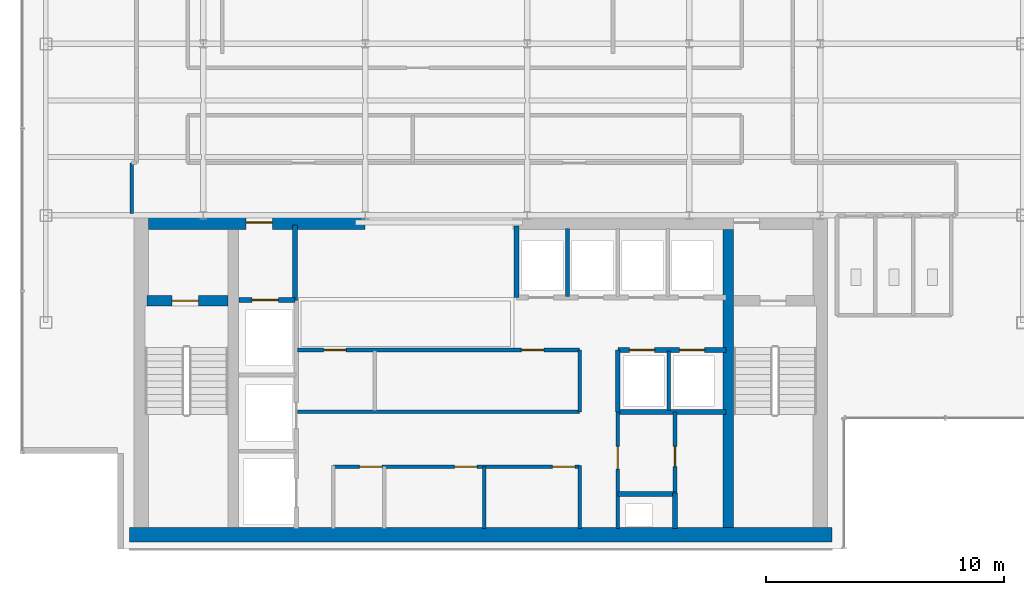
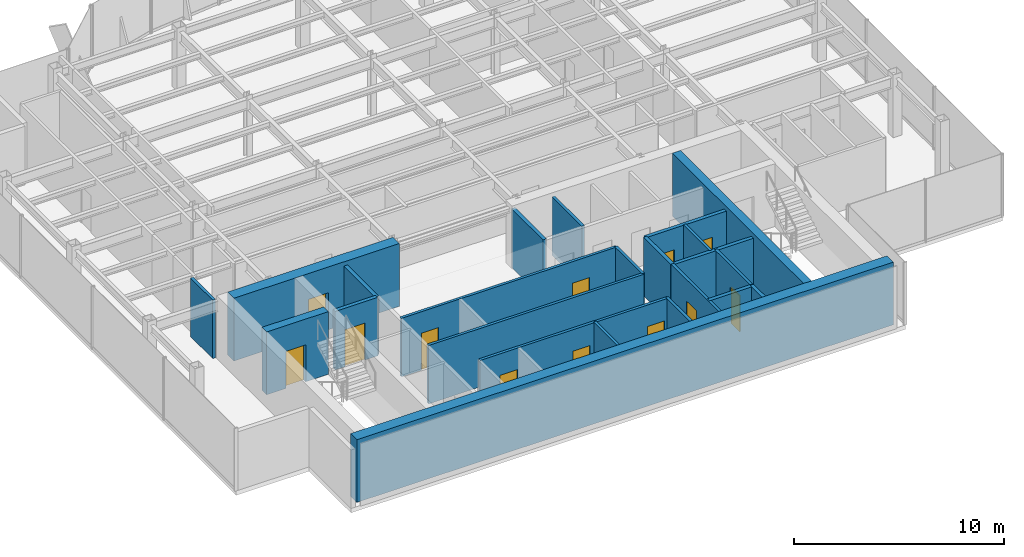
# One storey, part 17 of 22: 23 walls, 12 doors, 12 openings.
"""IFC4 building model written with IfcOpenShell, lengths in metres."""

from ifc_helpers import new_model, si_unit, derived_unit, direction, frame, frame_2d, origin, place, context, subcontext, project, spatial, rectangle, extrude, source, transform, mapped, material, layer, layer_set, type_object, element, fill, save


model = new_model("IFC4")

# Units and contexts
model_context = context("Model", 3, precision=1e-05, world=origin(), true_north=direction((0.0, 1.0)))
body_context = subcontext(model_context, "Body", "Model", "MODEL_VIEW")
ifc_project = project(units=[si_unit("LENGTHUNIT", "METRE"), si_unit("AREAUNIT", "SQUARE_METRE"), si_unit("VOLUMEUNIT", "CUBIC_METRE"), si_unit("PLANEANGLEUNIT", "RADIAN"), si_unit("MASSUNIT", "GRAM", prefix="KILO"), derived_unit("THERMALTRANSMITTANCEUNIT", [(si_unit("POWERUNIT", "WATT"), 1), (si_unit("LENGTHUNIT", "METRE"), -2), (si_unit("THERMODYNAMICTEMPERATUREUNIT", "KELVIN"), -1)])], contexts=[model_context])

# Site, building, storey
site_placement = place(None, origin())
site = spatial("IfcSite", under=ifc_project, at=site_placement, CompositionType="ELEMENT")
building_placement = place(site_placement, origin())
building = spatial("IfcBuilding", under=site, at=building_placement, Name="Skarnbrae Concourse Arena and Tower", CompositionType="ELEMENT")
storey_placement = place(building_placement, frame((0.0, 0.0, 284.35009765625)))
storey = spatial("IfcBuildingStorey", under=building, at=storey_placement, Name="L74", CompositionType="ELEMENT", Elevation=284.35009765625)

# Wall, opening, door
ifc_material_1 = material(Name="Concrete 50 MPa (C50/60)", Category="concrete")
ifc_layer_1 = layer(ifc_material_1, 0.449951171875)
ifc_layer_set_1 = layer_set([ifc_layer_1], Name="Concrete 50 MPa (C50/60)")
wall_type_1 = type_object("IfcWallType", Name="WALL-CORE-450-C50", PredefinedType="SHEAR", material=ifc_layer_set_1)
shared_shape_1 = source(origin(), body_context, "Body", "SweptSolid", [
    extrude(rectangle(XDim=3.389892578125, YDim=0.449951171875, at=frame_2d((1.69482421875, 0.0))), origin(), (0.0, 0.0, 1.0), 3.64990234375),
])
wall_1_placement = place(storey_placement, frame((5.25, 10.419921875, 0.0), z_axis=(0.0, 0.0, 1.0), x_axis=(1.0, 0.0, 0.0)))
wall_1 = element("IfcWall", 1, at=wall_1_placement, inside=storey, type_object=wall_type_1, Name="L74 Rear core shear wall CW-ST1-N", PredefinedType="SHEAR", context=body_context, shape_type="MappedRepresentation", body=[
    mapped(shared_shape_1, transform((0.0, 0.0, 0.0))),
])
opening_1_placement = place(wall_1_placement, frame((1.050048828125, 0.0, 0.0)))
opening_1 = element("IfcOpeningElement", 2, at=opening_1_placement, cuts=wall_1, Name="Opening DT-03", PredefinedType="OPENING", context=body_context, shape_type="SweptSolid", body=[
    extrude(rectangle(XDim=1.10009765625, YDim=2.14990234375, at=frame_2d((0.550048828125, 1.074951171875))), frame((0.0, 0.23486328125, 0.0), z_axis=(0.0, -1.0, 0.0), x_axis=(1.0, 0.0, 0.0)), (0.0, 0.0, 1.0), 0.469970703125),
])
ifc_material_2 = material(Name="Steel CSA G40.21 350W", Category="steel")
door_type_1 = type_object("IfcDoorType", Name="DOOR-FIRE-1100-90M", OperationType="NOTDEFINED", PredefinedType="DOOR", material=ifc_material_2)
shared_shape_2 = source(origin(), body_context, "Body", "SweptSolid", [
    extrude(rectangle(XDim=1.10009765625, YDim=2.14990234375, at=frame_2d((0.550048828125, 1.074951171875))), frame((0.0, 0.02490234375, 0.0), z_axis=(0.0, -1.0, 0.0), x_axis=(1.0, 0.0, 0.0)), (0.0, 0.0, 1.0), 0.050048828125),
])
door_1_placement = place(opening_1_placement, frame((1.10009765625, 0.0, 0.0), z_axis=(0.0, 0.0, 1.0), x_axis=(-1.0, 0.0, 0.0)))
door_1 = element("IfcDoor", 3, at=door_1_placement, inside=storey, type_object=door_type_1, Name="D-2232 Stair ST-1 Door", OperationType="SINGLE_SWING_LEFT", OverallHeight=2.14990234375, OverallWidth=1.10009765625, PredefinedType="DOOR", context=body_context, shape_type="MappedRepresentation", body=[
    mapped(shared_shape_2, transform((0.0, 0.0, 0.0))),
])
fill(opening_1, door_1)

# Wall
ifc_layer_2 = layer(ifc_material_1, 0.60009765625)
ifc_layer_set_2 = layer_set([ifc_layer_2], Name="Concrete 50 MPa (C50/60)")
wall_type_2 = type_object("IfcWallType", Name="WALL-CORE-600-C50", PredefinedType="SHEAR", material=ifc_layer_set_2)
shared_shape_3 = source(origin(), body_context, "Body", "SweptSolid", [
    extrude(rectangle(XDim=29.5, YDim=0.60009765625, at=frame_2d((14.75, 0.0))), origin(), (0.0, 0.0, 1.0), 3.64990234375),
])
wall_2_placement = place(storey_placement, frame((4.5, 0.60009765625, 0.0), z_axis=(0.0, 0.0, 1.0), x_axis=(1.0, 0.0, 0.0)))
element("IfcWall", 4, at=wall_2_placement, inside=storey, type_object=wall_type_2, Name="L74 Rear core shear wall CW-S", PredefinedType="SHEAR", context=body_context, shape_type="MappedRepresentation", body=[
    mapped(shared_shape_3, transform((0.0, 0.0, 0.0))),
])

# Wall, opening, door
shared_shape_4 = source(origin(), body_context, "Body", "SweptSolid", [
    extrude(rectangle(XDim=9.099853515625, YDim=0.60009765625, at=frame_2d((4.5498046875, 0.0))), origin(), (0.0, 0.0, 1.0), 3.64990234375),
])
wall_3_placement = place(storey_placement, frame((5.300048828125, 13.699951171875, 0.0), z_axis=(0.0, 0.0, 1.0), x_axis=(1.0, 0.0, 0.0)))
wall_3 = element("IfcWall", 5, at=wall_3_placement, inside=storey, type_object=wall_type_2, Name="L74 Rear core shear wall CW-NW", PredefinedType="SHEAR", context=body_context, shape_type="MappedRepresentation", body=[
    mapped(shared_shape_4, transform((0.0, 0.0, 0.0))),
])
opening_2_placement = place(wall_3_placement, frame((4.10009765625, 0.0, 0.0)))
opening_2 = element("IfcOpeningElement", 6, at=opening_2_placement, cuts=wall_3, Name="Opening DT-03", PredefinedType="OPENING", context=body_context, shape_type="SweptSolid", body=[
    extrude(rectangle(XDim=1.10009765625, YDim=2.14990234375, at=frame_2d((0.550048828125, 1.074951171875))), frame((0.0, 0.31005859375, 0.0), z_axis=(0.0, -1.0, 0.0), x_axis=(1.0, 0.0, 0.0)), (0.0, 0.0, 1.0), 0.6201171875),
])
door_2_placement = place(opening_2_placement, origin())
door_2 = element("IfcDoor", 7, at=door_2_placement, inside=storey, type_object=door_type_1, Name="D-2234 Firefighting Lobby Exit Door", OperationType="SINGLE_SWING_RIGHT", OverallHeight=2.14990234375, OverallWidth=1.10009765625, PredefinedType="DOOR", context=body_context, shape_type="MappedRepresentation", body=[
    mapped(shared_shape_2, transform((0.0, 0.0, 0.0))),
])
fill(opening_2, door_2)

# Walls
shared_shape_5 = source(origin(), body_context, "Body", "SweptSolid", [
    extrude(rectangle(XDim=12.5, YDim=0.449951171875, at=frame_2d((6.25, 0.0))), origin(), (0.0, 0.0, 1.0), 3.64990234375),
])
wall_4_placement = place(storey_placement, frame((29.635009765625, 0.89990234375, 0.0), z_axis=(0.0, 0.0, 1.0), x_axis=(0.0, 1.0, 0.0)))
element("IfcWall", 8, at=wall_4_placement, inside=storey, type_object=wall_type_1, Name="L74 Rear core shear wall CW-WEB-E", PredefinedType="SHEAR", context=body_context, shape_type="MappedRepresentation", body=[
    mapped(shared_shape_5, transform((0.0, 0.0, 0.0))),
])
ifc_material_3 = material(Name="Gypsum board on cold-formed steel studs", Category="steel")
ifc_layer_3 = layer(ifc_material_3, 0.199951171875)
ifc_layer_set_3 = layer_set([ifc_layer_3], Name="Gypsum board on cold-formed steel studs")
wall_type_3 = type_object("IfcWallType", Name="WALL-PART-200-2HR", PredefinedType="PARTITIONING", material=ifc_layer_set_3)
shared_shape_6 = source(origin(), body_context, "Body", "SweptSolid", [
    extrude(rectangle(XDim=3.18017578125, YDim=0.199951171875, at=frame_2d((1.590087890625, 0.0))), origin(), (0.0, 0.0, 1.0), 3.39990234375),
])
wall_5_placement = place(storey_placement, frame((11.449951171875, 10.419921875, 0.0), z_axis=(0.0, 0.0, 1.0), x_axis=(0.0, 1.0, 0.0)))
element("IfcWall", 9, at=wall_5_placement, inside=storey, type_object=wall_type_3, Name="L74 Interior partition wall W-L74-FFL-E", PredefinedType="PARTITIONING", context=body_context, shape_type="MappedRepresentation", body=[
    mapped(shared_shape_6, transform((0.0, 0.0, 0.0))),
])

# Wall, opening, door
shared_shape_7 = source(origin(), body_context, "Body", "SweptSolid", [
    extrude(rectangle(XDim=2.349853515625, YDim=0.199951171875, at=frame_2d((1.1748046875, 0.0))), origin(), (0.0, 0.0, 1.0), 3.39990234375),
])
wall_6_placement = place(storey_placement, frame((9.10009765625, 10.449951171875, 0.0), z_axis=(0.0, 0.0, 1.0), x_axis=(1.0, 0.0, 0.0)))
wall_6 = element("IfcWall", 10, at=wall_6_placement, inside=storey, type_object=wall_type_3, Name="L74 Interior partition wall W-L74-FL1-N", PredefinedType="PARTITIONING", context=body_context, shape_type="MappedRepresentation", body=[
    mapped(shared_shape_7, transform((0.0, 0.0, 0.0))),
])
opening_3_placement = place(wall_6_placement, frame((0.550048828125, 0.0, 0.0)))
opening_3 = element("IfcOpeningElement", 11, at=opening_3_placement, cuts=wall_6, Name="Opening LD-01", PredefinedType="OPENING", context=body_context, shape_type="SweptSolid", body=[
    extrude(rectangle(XDim=1.10009765625, YDim=2.14990234375, at=frame_2d((0.550048828125, 1.074951171875))), frame((0.0, 0.10986328125, 0.0), z_axis=(0.0, -1.0, 0.0), x_axis=(1.0, 0.0, 0.0)), (0.0, 0.0, 1.0), 0.219970703125),
])
door_type_2 = type_object("IfcDoorType", Name="DOOR-LIFT-SLIDE-1100", OperationType="SLIDING_TO_LEFT", PredefinedType="DOOR", material=ifc_material_2)
door_3_placement = place(opening_3_placement, origin())
door_3 = element("IfcDoor", 12, at=door_3_placement, inside=storey, type_object=door_type_2, Name="D-2236 Firefighting Lift Landing Door FL-01", OperationType="SLIDING_TO_LEFT", OverallHeight=2.14990234375, OverallWidth=1.10009765625, PredefinedType="DOOR", context=body_context, shape_type="MappedRepresentation", body=[
    mapped(shared_shape_2, transform((0.0, 0.0, 0.0))),
])
fill(opening_3, door_3)

# Walls
ifc_layer_4 = layer(ifc_material_3, 0.14990234375)
ifc_layer_set_4 = layer_set([ifc_layer_4], Name="Gypsum board on cold-formed steel studs")
wall_type_4 = type_object("IfcWallType", Name="WALL-PART-150", PredefinedType="PARTITIONING", material=ifc_layer_set_4)
shared_shape_8 = source(origin(), body_context, "Body", "SweptSolid", [
    extrude(rectangle(XDim=2.599853515625, YDim=0.14990234375, at=frame_2d((1.2998046875, 0.0))), origin(), (0.0, 0.0, 1.0), 3.39990234375),
])
wall_7_placement = place(storey_placement, frame((19.39990234375, 0.85009765625, 0.0), z_axis=(0.0, 0.0, 1.0), x_axis=(0.0, 1.0, 0.0)))
element("IfcWall", 13, at=wall_7_placement, inside=storey, type_object=wall_type_4, Name="L74 Interior partition wall W-L74-B1M-C2", PredefinedType="PARTITIONING", context=body_context, shape_type="MappedRepresentation", body=[
    mapped(shared_shape_8, transform((0.0, 0.0, 0.0))),
])
shared_shape_9 = source(origin(), body_context, "Body", "SweptSolid", [
    extrude(rectangle(XDim=2.60009765625, YDim=0.199951171875, at=frame_2d((1.300048828125, 0.0))), origin(), (0.0, 0.0, 1.0), 3.39990234375),
])
wall_8_placement = place(storey_placement, frame((25.0, 5.75, 0.0), z_axis=(0.0, 0.0, 1.0), x_axis=(0.0, 1.0, 0.0)))
element("IfcWall", 14, at=wall_8_placement, inside=storey, type_object=wall_type_3, Name="L74 Interior partition wall W-L74-B3S-W", PredefinedType="PARTITIONING", context=body_context, shape_type="MappedRepresentation", body=[
    mapped(shared_shape_9, transform((0.0, 0.0, 0.0))),
])
shared_shape_10 = source(origin(), body_context, "Body", "SweptSolid", [
    extrude(rectangle(XDim=2.5, YDim=0.14990234375, at=frame_2d((1.25, 0.0))), origin(), (0.0, 0.0, 1.0), 3.39990234375),
])
wall_9_placement = place(storey_placement, frame((27.139892578125, 5.800048828125, 0.0), z_axis=(0.0, 0.0, 1.0), x_axis=(0.0, 1.0, 0.0)))
element("IfcWall", 15, at=wall_9_placement, inside=storey, type_object=wall_type_4, Name="L74 Interior partition wall W-L74-B3S-P1", PredefinedType="PARTITIONING", context=body_context, shape_type="MappedRepresentation", body=[
    mapped(shared_shape_10, transform((0.0, 0.0, 0.0))),
])
shared_shape_11 = source(origin(), body_context, "Body", "SweptSolid", [
    extrude(rectangle(XDim=3.0, YDim=0.199951171875, at=frame_2d((1.5, 0.0))), origin(), (0.0, 0.0, 1.0), 3.39990234375),
])
wall_10_placement = place(storey_placement, frame((20.75, 10.550048828125, 0.0), z_axis=(0.0, 0.0, 1.0), x_axis=(0.0, 1.0, 0.0)))
element("IfcWall", 16, at=wall_10_placement, inside=storey, type_object=wall_type_3, Name="L74 Interior partition wall W-L74-B3N-W", PredefinedType="PARTITIONING", context=body_context, shape_type="MappedRepresentation", body=[
    mapped(shared_shape_11, transform((0.0, 0.0, 0.0))),
])
shared_shape_12 = source(origin(), body_context, "Body", "SweptSolid", [
    extrude(rectangle(XDim=2.849853515625, YDim=0.14990234375, at=frame_2d((1.4248046875, 0.0))), origin(), (0.0, 0.0, 1.0), 3.39990234375),
])
wall_11_placement = place(storey_placement, frame((22.889892578125, 10.60009765625, 0.0), z_axis=(0.0, 0.0, 1.0), x_axis=(0.0, 1.0, 0.0)))
element("IfcWall", 17, at=wall_11_placement, inside=storey, type_object=wall_type_4, Name="L74 Interior partition wall W-L74-B3N-P1", PredefinedType="PARTITIONING", context=body_context, shape_type="MappedRepresentation", body=[
    mapped(shared_shape_12, transform((0.0, 0.0, 0.0))),
])

# Wall, openings, doors
shared_shape_13 = source(origin(), body_context, "Body", "SweptSolid", [
    extrude(rectangle(XDim=4.550048828125, YDim=0.199951171875, at=frame_2d((2.27490234375, 0.0))), origin(), (0.0, 0.0, 1.0), 3.39990234375),
])
wall_12_placement = place(storey_placement, frame((25.0, 8.35009765625, 0.0), z_axis=(0.0, 0.0, 1.0), x_axis=(1.0, 0.0, 0.0)))
wall_12 = element("IfcWall", 18, at=wall_12_placement, inside=storey, type_object=wall_type_3, Name="L74 Interior partition wall W-L74-B3S-N", PredefinedType="PARTITIONING", context=body_context, shape_type="MappedRepresentation", body=[
    mapped(shared_shape_13, transform((0.0, 0.0, 0.0))),
])
opening_4_placement = place(wall_12_placement, frame((0.5, 0.0, 0.0)))
opening_4 = element("IfcOpeningElement", 19, at=opening_4_placement, cuts=wall_12, Name="Opening LD-04", PredefinedType="OPENING", context=body_context, shape_type="SweptSolid", body=[
    extrude(rectangle(XDim=1.050048828125, YDim=2.14990234375, at=frame_2d((0.52490234375, 1.074951171875))), frame((0.0, 0.10986328125, 0.0), z_axis=(0.0, -1.0, 0.0), x_axis=(1.0, 0.0, 0.0)), (0.0, 0.0, 1.0), 0.219970703125),
])
opening_5_placement = place(wall_12_placement, frame((2.60009765625, 0.0, 0.0)))
opening_5 = element("IfcOpeningElement", 20, at=opening_5_placement, cuts=wall_12, Name="Opening LD-04", PredefinedType="OPENING", context=body_context, shape_type="SweptSolid", body=[
    extrude(rectangle(XDim=1.050048828125, YDim=2.14990234375, at=frame_2d((0.52490234375, 1.074951171875))), frame((0.0, 0.10986328125, 0.0), z_axis=(0.0, -1.0, 0.0), x_axis=(1.0, 0.0, 0.0)), (0.0, 0.0, 1.0), 0.219970703125),
])
ifc_material_4 = material(Name="Bronze anodised aluminium 6063-T6", Category="aluminium")
door_type_3 = type_object("IfcDoorType", Name="DOOR-LIFT-SLIDE-1050H", OperationType="SLIDING_TO_LEFT", PredefinedType="DOOR", material=ifc_material_4)
shared_shape_14 = source(origin(), body_context, "Body", "SweptSolid", [
    extrude(rectangle(XDim=1.050048828125, YDim=2.14990234375, at=frame_2d((0.52490234375, 1.074951171875))), frame((0.0, 0.02490234375, 0.0), z_axis=(0.0, -1.0, 0.0), x_axis=(1.0, 0.0, 0.0)), (0.0, 0.0, 1.0), 0.050048828125),
])
door_4_placement = place(opening_4_placement, origin())
door_4 = element("IfcDoor", 21, at=door_4_placement, inside=storey, type_object=door_type_3, Name="D-2248 Passenger Lift Landing Door PL-3E", OperationType="SLIDING_TO_LEFT", OverallHeight=2.14990234375, OverallWidth=1.050048828125, PredefinedType="DOOR", context=body_context, shape_type="MappedRepresentation", body=[
    mapped(shared_shape_14, transform((0.0, 0.0, 0.0))),
])
fill(opening_4, door_4)
door_5_placement = place(opening_5_placement, origin())
door_5 = element("IfcDoor", 22, at=door_5_placement, inside=storey, type_object=door_type_3, Name="D-2249 Passenger Lift Landing Door PL-3F", OperationType="SLIDING_TO_LEFT", OverallHeight=2.14990234375, OverallWidth=1.050048828125, PredefinedType="DOOR", context=body_context, shape_type="MappedRepresentation", body=[
    mapped(shared_shape_14, transform((0.0, 0.0, 0.0))),
])
fill(opening_5, door_5)

# Wall
wall_13_placement = place(storey_placement, frame((25.0, 5.75, 0.0), z_axis=(0.0, 0.0, 1.0), x_axis=(1.0, 0.0, 0.0)))
element("IfcWall", 23, at=wall_13_placement, inside=storey, type_object=wall_type_3, Name="L74 Interior partition wall W-L74-B3S-S", PredefinedType="PARTITIONING", context=body_context, shape_type="MappedRepresentation", body=[
    mapped(shared_shape_13, transform((0.0, 0.0, 0.0))),
])

# Wall, opening, door
ifc_layer_5 = layer(ifc_material_3, 0.14990234375)
ifc_layer_set_5 = layer_set([ifc_layer_5], Name="Gypsum board on cold-formed steel studs")
wall_type_5 = type_object("IfcWallType", Name="WALL-PART-150-1HR", PredefinedType="PARTITIONING", material=ifc_layer_set_5)
shared_shape_15 = source(origin(), body_context, "Body", "SweptSolid", [
    extrude(rectangle(XDim=4.89990234375, YDim=0.14990234375, at=frame_2d((2.449951171875, 0.0))), origin(), (0.0, 0.0, 1.0), 3.39990234375),
])
wall_14_placement = place(storey_placement, frame((25.0, 0.85009765625, 0.0), z_axis=(0.0, 0.0, 1.0), x_axis=(0.0, 1.0, 0.0)))
wall_14 = element("IfcWall", 24, at=wall_14_placement, inside=storey, type_object=wall_type_5, Name="L74 Interior partition wall W-L74-CSV-W", PredefinedType="PARTITIONING", context=body_context, shape_type="MappedRepresentation", body=[
    mapped(shared_shape_15, transform((0.0, 0.0, 0.0))),
])
opening_6_placement = place(wall_14_placement, frame((2.5, 0.0, 0.0)))
opening_6 = element("IfcOpeningElement", 25, at=opening_6_placement, cuts=wall_14, Name="Opening DT-04", PredefinedType="OPENING", context=body_context, shape_type="SweptSolid", body=[
    extrude(rectangle(XDim=0.949951171875, YDim=2.14990234375, at=frame_2d((0.47509765625, 1.074951171875))), frame((0.0, 0.0849609375, 0.0), z_axis=(0.0, -1.0, 0.0), x_axis=(1.0, 0.0, 0.0)), (0.0, 0.0, 1.0), 0.169921875),
])
door_type_4 = type_object("IfcDoorType", Name="DOOR-INT-950-45M", OperationType="NOTDEFINED", PredefinedType="DOOR", material=ifc_material_2)
shared_shape_16 = source(origin(), body_context, "Body", "SweptSolid", [
    extrude(rectangle(XDim=0.949951171875, YDim=2.14990234375, at=frame_2d((0.47509765625, 1.074951171875))), frame((0.0, 0.02490234375, 0.0), z_axis=(0.0, -1.0, 0.0), x_axis=(1.0, 0.0, 0.0)), (0.0, 0.0, 1.0), 0.050048828125),
])
door_6_placement = place(opening_6_placement, origin())
door_6 = element("IfcDoor", 26, at=door_6_placement, inside=storey, type_object=door_type_4, Name="D-2250 Core Pantry Door", OperationType="SINGLE_SWING_RIGHT", OverallHeight=2.14990234375, OverallWidth=0.949951171875, PredefinedType="DOOR", context=body_context, shape_type="MappedRepresentation", body=[
    mapped(shared_shape_16, transform((0.0, 0.0, 0.0))),
])
fill(opening_6, door_6)

# Walls
shared_shape_17 = source(origin(), body_context, "Body", "SweptSolid", [
    extrude(rectangle(XDim=2.39990234375, YDim=0.199951171875, at=frame_2d((1.199951171875, 0.0))), origin(), (0.0, 0.0, 1.0), 3.39990234375),
])
wall_15_placement = place(storey_placement, frame((25.0, 2.300048828125, 0.0), z_axis=(0.0, 0.0, 1.0), x_axis=(1.0, 0.0, 0.0)))
element("IfcWall", 27, at=wall_15_placement, inside=storey, type_object=wall_type_3, Name="L74 Interior partition wall W-L74-MEP-N", PredefinedType="PARTITIONING", context=body_context, shape_type="MappedRepresentation", body=[
    mapped(shared_shape_17, transform((0.0, 0.0, 0.0))),
])
shared_shape_18 = source(origin(), body_context, "Body", "SweptSolid", [
    extrude(rectangle(XDim=1.5, YDim=0.199951171875, at=frame_2d((0.75, 0.0))), origin(), (0.0, 0.0, 1.0), 3.39990234375),
])
wall_16_placement = place(storey_placement, frame((27.39990234375, 0.85009765625, 0.0), z_axis=(0.0, 0.0, 1.0), x_axis=(0.0, 1.0, 0.0)))
element("IfcWall", 28, at=wall_16_placement, inside=storey, type_object=wall_type_3, Name="L74 Interior partition wall W-L74-MEP-E", PredefinedType="PARTITIONING", context=body_context, shape_type="MappedRepresentation", body=[
    mapped(shared_shape_18, transform((0.0, 0.0, 0.0))),
])

# Wall, opening, door
shared_shape_19 = source(origin(), body_context, "Body", "SweptSolid", [
    extrude(rectangle(XDim=3.39990234375, YDim=0.14990234375, at=frame_2d((1.699951171875, 0.0))), origin(), (0.0, 0.0, 1.0), 3.39990234375),
])
wall_17_placement = place(storey_placement, frame((27.39990234375, 2.35009765625, 0.0), z_axis=(0.0, 0.0, 1.0), x_axis=(0.0, 1.0, 0.0)))
wall_17 = element("IfcWall", 29, at=wall_17_placement, inside=storey, type_object=wall_type_4, Name="L74 Interior partition wall W-L74-CSV-V", PredefinedType="PARTITIONING", context=body_context, shape_type="MappedRepresentation", body=[
    mapped(shared_shape_19, transform((0.0, 0.0, 0.0))),
])
opening_7_placement = place(wall_17_placement, frame((1.10009765625, 0.0, 0.0)))
opening_7 = element("IfcOpeningElement", 30, at=opening_7_placement, cuts=wall_17, Name="Opening DT-06", PredefinedType="OPENING", context=body_context, shape_type="SweptSolid", body=[
    extrude(rectangle(XDim=0.85009765625, YDim=2.10009765625, at=frame_2d((0.425048828125, 1.050048828125))), frame((0.0, 0.0849609375, 0.0), z_axis=(0.0, -1.0, 0.0), x_axis=(1.0, 0.0, 0.0)), (0.0, 0.0, 1.0), 0.169921875),
])
ifc_material_5 = material(Name="Architectural oak veneer timber leaf", Category="wood")
door_type_5 = type_object("IfcDoorType", Name="DOOR-INT-850", OperationType="NOTDEFINED", PredefinedType="DOOR", material=ifc_material_5)
shared_shape_20 = source(origin(), body_context, "Body", "SweptSolid", [
    extrude(rectangle(XDim=0.85009765625, YDim=2.10009765625, at=frame_2d((0.425048828125, 1.050048828125))), frame((0.0, 0.02490234375, 0.0), z_axis=(0.0, -1.0, 0.0), x_axis=(1.0, 0.0, 0.0)), (0.0, 0.0, 1.0), 0.050048828125),
])
door_7_placement = place(opening_7_placement, frame((0.85009765625, 0.0, 0.0), z_axis=(0.0, 0.0, 1.0), x_axis=(-1.0, 0.0, 0.0)))
door_7 = element("IfcDoor", 31, at=door_7_placement, inside=storey, type_object=door_type_5, Name="D-2251 Supply Cupboard Door", OperationType="SINGLE_SWING_LEFT", OverallHeight=2.10009765625, OverallWidth=0.85009765625, PredefinedType="DOOR", context=body_context, shape_type="MappedRepresentation", body=[
    mapped(shared_shape_20, transform((0.0, 0.0, 0.0))),
])
fill(opening_7, door_7)

# Wall
shared_shape_21 = source(origin(), body_context, "Body", "SweptSolid", [
    extrude(rectangle(XDim=2.64990234375, YDim=0.14990234375, at=frame_2d((1.324951171875, 0.0))), origin(), (0.0, 0.0, 1.0), 3.39990234375),
])
wall_18_placement = place(storey_placement, frame((23.39990234375, 0.85009765625, 0.0), z_axis=(0.0, 0.0, 1.0), x_axis=(0.0, 1.0, 0.0)))
element("IfcWall", 32, at=wall_18_placement, inside=storey, type_object=wall_type_5, Name="L74 Interior partition wall W-L74-B1M-E", PredefinedType="PARTITIONING", context=body_context, shape_type="MappedRepresentation", body=[
    mapped(shared_shape_21, transform((0.0, 0.0, 0.0))),
])

# Wall, openings, doors
shared_shape_22 = source(origin(), body_context, "Body", "SweptSolid", [
    extrude(rectangle(XDim=10.349853515625, YDim=0.14990234375, at=frame_2d((5.1748046875, 0.0))), origin(), (0.0, 0.0, 1.0), 3.39990234375),
])
wall_19_placement = place(storey_placement, frame((13.050048828125, 3.449951171875, 0.0), z_axis=(0.0, 0.0, 1.0), x_axis=(1.0, 0.0, 0.0)))
wall_19 = element("IfcWall", 33, at=wall_19_placement, inside=storey, type_object=wall_type_5, Name="L74 Interior partition wall W-L74-B1M-N", PredefinedType="PARTITIONING", context=body_context, shape_type="MappedRepresentation", body=[
    mapped(shared_shape_22, transform((0.0, 0.0, 0.0))),
])
opening_8_placement = place(wall_19_placement, frame((1.10009765625, 0.0, 0.0)))
opening_8 = element("IfcOpeningElement", 34, at=opening_8_placement, cuts=wall_19, Name="Opening DT-04", PredefinedType="OPENING", context=body_context, shape_type="SweptSolid", body=[
    extrude(rectangle(XDim=0.949951171875, YDim=2.14990234375, at=frame_2d((0.47509765625, 1.074951171875))), frame((0.0, 0.0849609375, 0.0), z_axis=(0.0, -1.0, 0.0), x_axis=(1.0, 0.0, 0.0)), (0.0, 0.0, 1.0), 0.169921875),
])
opening_9_placement = place(wall_19_placement, frame((5.10009765625, 0.0, 0.0)))
opening_9 = element("IfcOpeningElement", 35, at=opening_9_placement, cuts=wall_19, Name="Opening DT-04", PredefinedType="OPENING", context=body_context, shape_type="SweptSolid", body=[
    extrude(rectangle(XDim=0.949951171875, YDim=2.14990234375, at=frame_2d((0.47509765625, 1.074951171875))), frame((0.0, 0.0849609375, 0.0), z_axis=(0.0, -1.0, 0.0), x_axis=(1.0, 0.0, 0.0)), (0.0, 0.0, 1.0), 0.169921875),
])
opening_10_placement = place(wall_19_placement, frame((9.199951171875, 0.0, 0.0)))
opening_10 = element("IfcOpeningElement", 36, at=opening_10_placement, cuts=wall_19, Name="Opening DT-04", PredefinedType="OPENING", context=body_context, shape_type="SweptSolid", body=[
    extrude(rectangle(XDim=0.949951171875, YDim=2.14990234375, at=frame_2d((0.47509765625, 1.074951171875))), frame((0.0, 0.0849609375, 0.0), z_axis=(0.0, -1.0, 0.0), x_axis=(1.0, 0.0, 0.0)), (0.0, 0.0, 1.0), 0.169921875),
])
door_8_placement = place(opening_8_placement, origin())
door_8 = element("IfcDoor", 37, at=door_8_placement, inside=storey, type_object=door_type_4, Name="D-2239 Core Service Door 1", OperationType="SINGLE_SWING_LEFT", OverallHeight=2.14990234375, OverallWidth=0.949951171875, PredefinedType="DOOR", context=body_context, shape_type="MappedRepresentation", body=[
    mapped(shared_shape_16, transform((0.0, 0.0, 0.0))),
])
fill(opening_8, door_8)
door_9_placement = place(opening_9_placement, origin())
door_9 = element("IfcDoor", 38, at=door_9_placement, inside=storey, type_object=door_type_4, Name="D-2240 Core Service Door 2", OperationType="SINGLE_SWING_RIGHT", OverallHeight=2.14990234375, OverallWidth=0.949951171875, PredefinedType="DOOR", context=body_context, shape_type="MappedRepresentation", body=[
    mapped(shared_shape_16, transform((0.0, 0.0, 0.0))),
])
fill(opening_9, door_9)
door_10_placement = place(opening_10_placement, origin())
door_10 = element("IfcDoor", 39, at=door_10_placement, inside=storey, type_object=door_type_4, Name="D-2241 Core Service Door 3", OperationType="SINGLE_SWING_LEFT", OverallHeight=2.14990234375, OverallWidth=0.949951171875, PredefinedType="DOOR", context=body_context, shape_type="MappedRepresentation", body=[
    mapped(shared_shape_16, transform((0.0, 0.0, 0.0))),
])
fill(opening_10, door_10)

# Walls
shared_shape_23 = source(origin(), body_context, "Body", "SweptSolid", [
    extrude(rectangle(XDim=2.119873046875, YDim=0.14990234375, at=frame_2d((1.06005859375, 0.0))), origin(), (0.0, 0.0, 1.0), 3.39990234375),
])
wall_20_placement = place(storey_placement, frame((4.60009765625, 14.080078125, 0.0), z_axis=(0.0, 0.0, 1.0), x_axis=(0.0, 1.0, 0.0)))
element("IfcWall", 40, at=wall_20_placement, inside=storey, type_object=wall_type_5, Name="L74 Interior partition wall W-L74-COR-01", PredefinedType="PARTITIONING", context=body_context, shape_type="MappedRepresentation", body=[
    mapped(shared_shape_23, transform((0.0, 0.0, 0.0))),
])
shared_shape_24 = source(origin(), body_context, "Body", "SweptSolid", [
    extrude(rectangle(XDim=11.849853515625, YDim=0.14990234375, at=frame_2d((5.9248046875, 0.0))), origin(), (0.0, 0.0, 1.0), 3.39990234375),
])
wall_21_placement = place(storey_placement, frame((11.550048828125, 5.75, 0.0), z_axis=(0.0, 0.0, 1.0), x_axis=(1.0, 0.0, 0.0)))
element("IfcWall", 41, at=wall_21_placement, inside=storey, type_object=wall_type_5, Name="L74 Interior partition wall W-L74-B2M-S", PredefinedType="PARTITIONING", context=body_context, shape_type="MappedRepresentation", body=[
    mapped(shared_shape_24, transform((0.0, 0.0, 0.0))),
])

# Wall, openings, doors
wall_22_placement = place(storey_placement, frame((11.550048828125, 8.35009765625, 0.0), z_axis=(0.0, 0.0, 1.0), x_axis=(1.0, 0.0, 0.0)))
wall_22 = element("IfcWall", 42, at=wall_22_placement, inside=storey, type_object=wall_type_5, Name="L74 Interior partition wall W-L74-B2M-N", PredefinedType="PARTITIONING", context=body_context, shape_type="MappedRepresentation", body=[
    mapped(shared_shape_24, transform((0.0, 0.0, 0.0))),
])
opening_11_placement = place(wall_22_placement, frame((1.10009765625, 0.0, 0.0)))
opening_11 = element("IfcOpeningElement", 43, at=opening_11_placement, cuts=wall_22, Name="Opening DT-04", PredefinedType="OPENING", context=body_context, shape_type="SweptSolid", body=[
    extrude(rectangle(XDim=0.949951171875, YDim=2.14990234375, at=frame_2d((0.47509765625, 1.074951171875))), frame((0.0, 0.0849609375, 0.0), z_axis=(0.0, -1.0, 0.0), x_axis=(1.0, 0.0, 0.0)), (0.0, 0.0, 1.0), 0.169921875),
])
opening_12_placement = place(wall_22_placement, frame((9.39990234375, 0.0, 0.0)))
opening_12 = element("IfcOpeningElement", 44, at=opening_12_placement, cuts=wall_22, Name="Opening DT-04", PredefinedType="OPENING", context=body_context, shape_type="SweptSolid", body=[
    extrude(rectangle(XDim=0.949951171875, YDim=2.14990234375, at=frame_2d((0.47509765625, 1.074951171875))), frame((0.0, 0.0849609375, 0.0), z_axis=(0.0, -1.0, 0.0), x_axis=(1.0, 0.0, 0.0)), (0.0, 0.0, 1.0), 0.169921875),
])
door_11_placement = place(opening_11_placement, origin())
door_11 = element("IfcDoor", 45, at=door_11_placement, inside=storey, type_object=door_type_4, Name="D-2242 High-Zone Data Door", OperationType="SINGLE_SWING_RIGHT", OverallHeight=2.14990234375, OverallWidth=0.949951171875, PredefinedType="DOOR", context=body_context, shape_type="MappedRepresentation", body=[
    mapped(shared_shape_16, transform((0.0, 0.0, 0.0))),
])
fill(opening_11, door_11)
door_12_placement = place(opening_12_placement, origin())
door_12 = element("IfcDoor", 46, at=door_12_placement, inside=storey, type_object=door_type_4, Name="D-2243 Reprographics Door", OperationType="SINGLE_SWING_LEFT", OverallHeight=2.14990234375, OverallWidth=0.949951171875, PredefinedType="DOOR", context=body_context, shape_type="MappedRepresentation", body=[
    mapped(shared_shape_16, transform((0.0, 0.0, 0.0))),
])
fill(opening_12, door_12)

# Wall
shared_shape_25 = source(origin(), body_context, "Body", "SweptSolid", [
    extrude(rectangle(XDim=2.60009765625, YDim=0.14990234375, at=frame_2d((1.300048828125, 0.0))), origin(), (0.0, 0.0, 1.0), 3.39990234375),
])
wall_23_placement = place(storey_placement, frame((23.39990234375, 5.75, 0.0), z_axis=(0.0, 0.0, 1.0), x_axis=(0.0, 1.0, 0.0)))
element("IfcWall", 47, at=wall_23_placement, inside=storey, type_object=wall_type_5, Name="L74 Interior partition wall W-L74-B2M-E", PredefinedType="PARTITIONING", context=body_context, shape_type="MappedRepresentation", body=[
    mapped(shared_shape_25, transform((0.0, 0.0, 0.0))),
])

save(model, "model.ifc")
